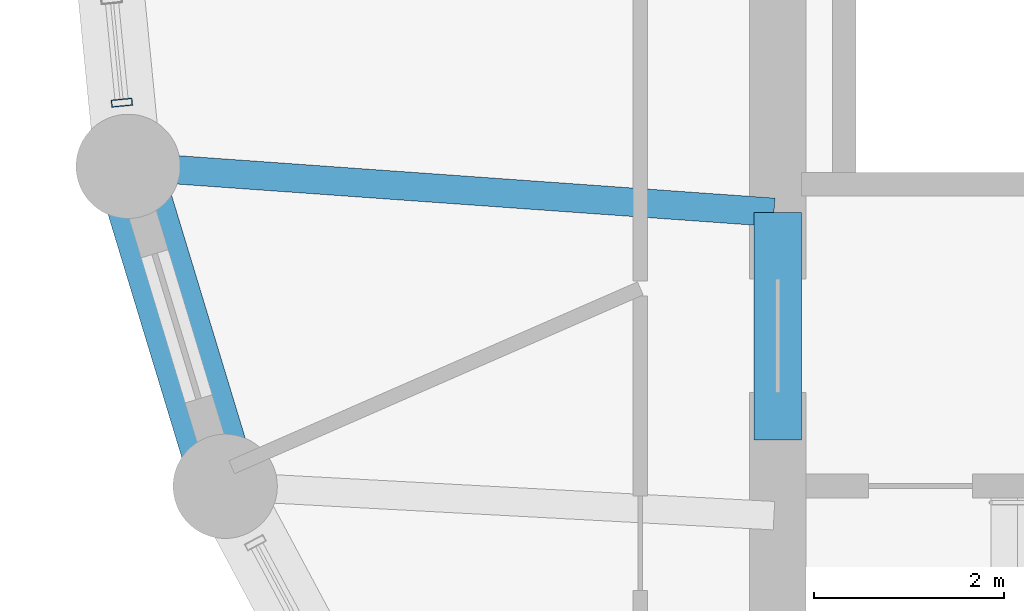
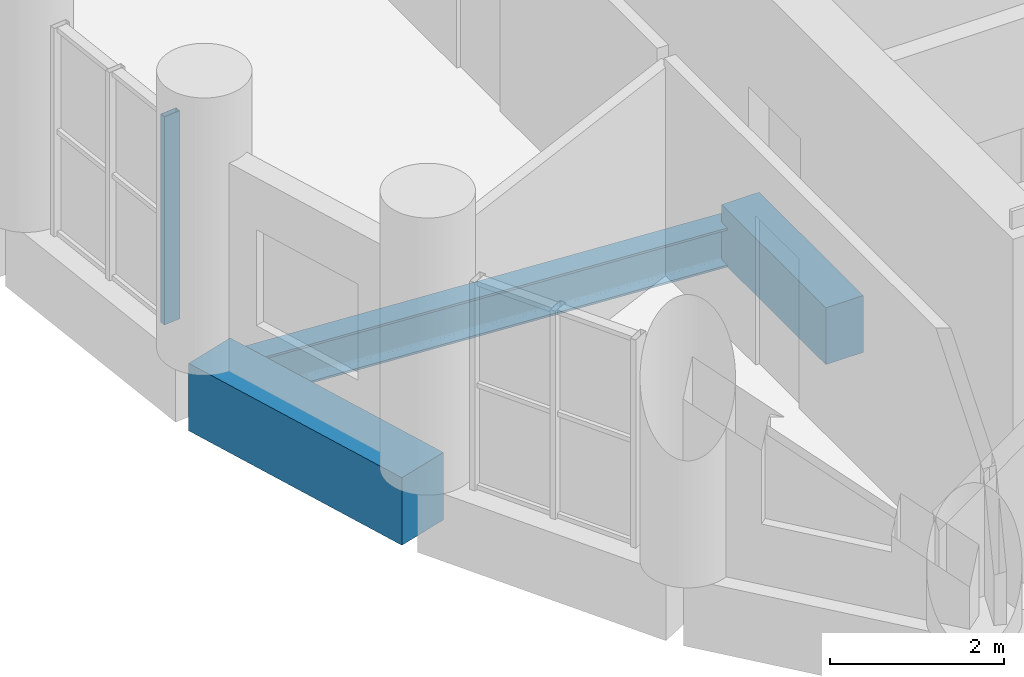
# One storey, part 3 of 13: 3 beams, 1 member, 1 element without a shape of its own.
"""IFC4 building model written with IfcOpenShell, lengths in metres."""

from ifc_helpers import new_model, si_unit, direction, frame, origin, origin_2d, place, context, subcontext, project, spatial, rectangle, hollow_rectangle, i_section, extrude, material, layer, layer_set, material_profile, profile_set, type_object, element, aggregate, save


model = new_model("IFC4")

# Units and contexts
model_context = context("Model", 3, precision=1e-05, world=origin(), true_north=direction((0.0, 1.0)))
body_context = subcontext(model_context, "Body", "Model", "MODEL_VIEW")
ifc_project = project(units=[si_unit("LENGTHUNIT", "METRE"), si_unit("AREAUNIT", "SQUARE_METRE"), si_unit("VOLUMEUNIT", "CUBIC_METRE"), si_unit("PLANEANGLEUNIT", "RADIAN"), si_unit("MASSUNIT", "GRAM", prefix="KILO")], contexts=[model_context])

# Site, building, storey
site_placement = place(None, origin())
site = spatial("IfcSite", under=ifc_project, at=site_placement, CompositionType="ELEMENT")
building_placement = place(site_placement, origin())
building = spatial("IfcBuilding", under=site, at=building_placement, Name="Solnavia Interchange Tower", CompositionType="ELEMENT")
storey_placement = place(building_placement, frame((0.0, 0.0, 39.60009765625)))
storey = spatial("IfcBuildingStorey", under=building, at=storey_placement, Name="L09", CompositionType="ELEMENT", Elevation=39.60009765625)

# Beams
ifc_material_1 = material(Name="Concrete C50/60", Category="concrete")
ifc_material_profile_1 = material_profile(ifc_material_1, rectangle(XDim=0.5, YDim=0.800048828125, at=origin_2d()), Name="RC 500x800")
ifc_profile_set_1 = profile_set([ifc_material_profile_1], Name="Concrete C50/60")
beam_type_1 = type_object("IfcBeamType", Name="Beam-Coupling-RC500x800", PredefinedType="LINTEL", material=ifc_profile_set_1)
beam_1_placement = place(storey_placement, frame((14.39990234375, 15.199951171875, -0.400146484375), z_axis=(0.0, 1.0, 0.0), x_axis=(-1.0, 0.0, 0.0)))
element("IfcBeam", 1, at=beam_1_placement, inside=storey, type_object=beam_type_1, Name="CPB-L09-W1 Core coupling lintel beam", PredefinedType="LINTEL", context=body_context, shape_type="SweptSolid", body=[
    extrude(rectangle(XDim=0.5, YDim=0.800048828125, at=origin_2d()), origin(), (0.0, 0.0, 1.0), 2.400146484375),
])
ifc_material_2 = material(Name="Steel S460", Category="steel")
ifc_material_profile_2 = material_profile(ifc_material_2, i_section(OverallWidth=0.300048828125, OverallDepth=0.550048828125, WebThickness=0.014892578125, FlangeThickness=0.029052734375, FilletRadius=0.027099609375, at=origin_2d()), Name="HEB 550")
ifc_profile_set_2 = profile_set([ifc_material_profile_2], Name="Steel S460")
beam_type_2 = type_object("IfcBeamType", Name="Beam-Girder-HEB550", PredefinedType="BEAM", material=ifc_profile_set_2)
beam_2_placement = place(storey_placement, frame((7.625732421875, 18.082275390625, -0.525146484375), z_axis=(0.99747482749, -0.071020902015, 0.0), x_axis=(0.071020902015, 0.99747482749, 0.0)))
element("IfcBeam", 2, at=beam_2_placement, inside=storey, type_object=beam_type_2, Name="GRD-L09-DR22 Drum radial floor girder", PredefinedType="BEAM", context=body_context, shape_type="SweptSolid", body=[
    extrude(i_section(OverallWidth=0.300048828125, OverallDepth=0.550048828125, WebThickness=0.014892578125, FlangeThickness=0.029052734375, FilletRadius=0.027099609375, at=origin_2d()), origin(), (0.0, 0.0, 1.0), 6.75146484375),
])
ifc_material_profile_3 = material_profile(ifc_material_1, rectangle(XDim=0.699951171875, YDim=0.949951171875, at=origin_2d()), Name="RC 700x950")
ifc_profile_set_3 = profile_set([ifc_material_profile_3], Name="Concrete C50/60")
beam_type_3 = type_object("IfcBeamType", Name="Beam-Spandrel-RC700x950", PredefinedType="SPANDREL", material=ifc_profile_set_3)
beam_3_placement = place(storey_placement, frame((7.569091796875, 18.011474609375, -0.47509765625), z_axis=(0.290319223646, -0.956929855518, 0.0), x_axis=(0.956929855518, 0.290319223646, 0.0)))
element("IfcBeam", 3, at=beam_3_placement, inside=storey, type_object=beam_type_3, Name="SPB-L09-02 Framed-tube perimeter spandrel beam", PredefinedType="SPANDREL", context=body_context, shape_type="SweptSolid", body=[
    extrude(rectangle(XDim=0.699951171875, YDim=0.949951171875, at=origin_2d()), origin(), (0.0, 0.0, 1.0), 3.367919921875),
])

# Curtain wall, member
ifc_material_3 = material(Name="Aluminium Alloy 6063-T6", Category="aluminium")
ifc_layer = layer(ifc_material_3, 0.239990234375)
ifc_layer_set = layer_set([ifc_layer], Name="Aluminium Alloy 6063-T6")
curtain_wall_type = type_object("IfcCurtainWallType", Name="CurtainWall-Drum-CTW2", PredefinedType="NOTDEFINED", material=ifc_layer_set)
curtain_wall_placement = place(storey_placement, origin())
curtain_wall = element("IfcCurtainWall", 4, at=curtain_wall_placement, inside=storey, type_object=curtain_wall_type, Name="CTW-L09-D59 CTW-2 curtain wall", PredefinedType="NOTDEFINED")
ifc_material_profile_4 = material_profile(ifc_material_3, hollow_rectangle(XDim=0.074951171875, YDim=0.219970703125, WallThickness=0.0048828125, at=origin_2d()), Name="ALU 220x75x5")
ifc_profile_set_4 = profile_set([ifc_material_profile_4], Name="Aluminium Alloy 6063-T6")
member_type = type_object("IfcMemberType", Name="CW-Mullion-CWM-2", PredefinedType="MULLION", material=ifc_profile_set_4)
member_placement = place(storey_placement, frame((7.479736328125, 18.759765625, 0.0), z_axis=(0.0, 0.0, 1.0), x_axis=(0.098045297616, -0.995181953019, 0.0)))
member = element("IfcMember", 5, at=member_placement, type_object=member_type, Name="CTW-2 mullion 3", PredefinedType="MULLION", context=body_context, shape_type="SweptSolid", body=[
    extrude(hollow_rectangle(XDim=0.074951171875, YDim=0.219970703125, WallThickness=0.0048828125, at=origin_2d()), origin(), (0.0, 0.0, 1.0), 2.929931640625),
])
aggregate(curtain_wall, [member])

save(model, "model.ifc")
